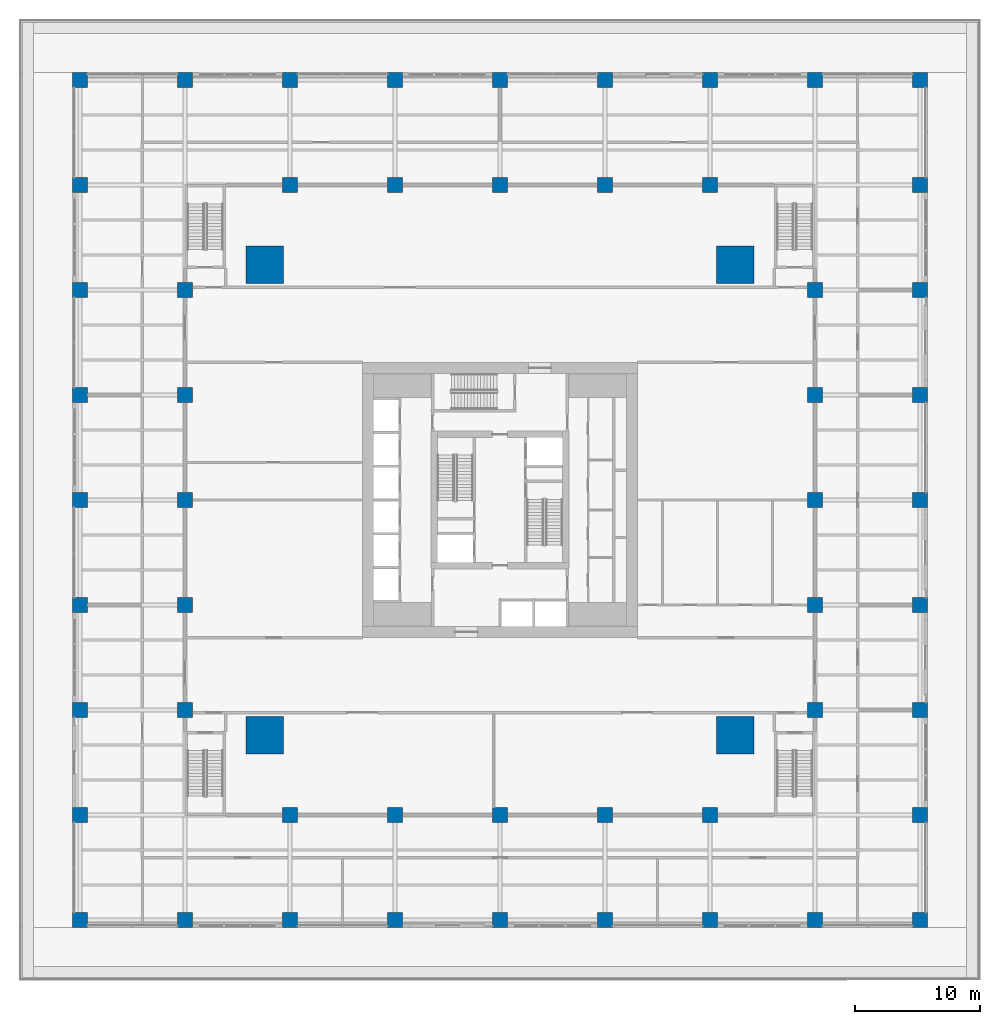
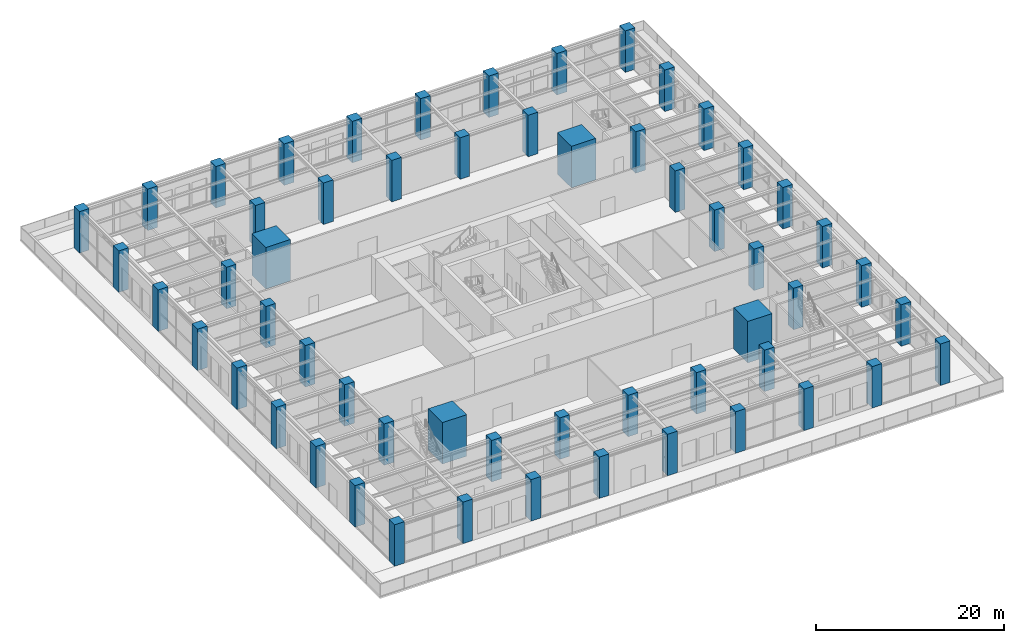
# One storey, part 1 of 36: 56 columns.
"""IFC4 building model written with IfcOpenShell, lengths in metres."""

from ifc_helpers import new_model, si_unit, direction, frame, origin, origin_2d, place, context, subcontext, project, spatial, rectangle, extrude, material, material_profile, profile_set, type_object, element, save


model = new_model("IFC4")

# Units and contexts
model_context = context("Model", 3, precision=1e-05, world=origin(), true_north=direction((0.0, 1.0)))
body_context = subcontext(model_context, "Body", "Model", "MODEL_VIEW")
ifc_project = project(units=[si_unit("LENGTHUNIT", "METRE"), si_unit("AREAUNIT", "SQUARE_METRE"), si_unit("VOLUMEUNIT", "CUBIC_METRE"), si_unit("PLANEANGLEUNIT", "RADIAN"), si_unit("MASSUNIT", "GRAM", prefix="KILO")], contexts=[model_context])

# Site, building, storey
site_placement = place(None, origin())
site = spatial("IfcSite", under=ifc_project, at=site_placement, CompositionType="ELEMENT")
building_placement = place(site_placement, origin())
building = spatial("IfcBuilding", under=site, at=building_placement, Name="Khepri Terraces", CompositionType="ELEMENT")
storey_placement = place(building_placement, frame((0.0, 0.0, 16.800048828125)))
storey = spatial("IfcBuildingStorey", under=building, at=storey_placement, Name="L03", CompositionType="ELEMENT", Elevation=16.800048828125)

# Columns
ifc_material_1 = material(Name="Concrete C80/95", Category="concrete")
ifc_material_profile_1 = material_profile(ifc_material_1, rectangle(XDim=3.0, YDim=3.0, at=origin_2d()), Name="Concrete C80/95", Category="concrete")
ifc_profile_set_1 = profile_set([ifc_material_profile_1], Name="Concrete C80/95")
column_type_1 = type_object("IfcColumnType", Name="Mega column RC 3000x3000 C80/95", PredefinedType="COLUMN", material=ifc_profile_set_1)
for number, where, z_axis, x_axis, name in (
    (1, (18.800048828125, 18.800048828125, 0.0), (0.0, 0.0, 1.0), (1.0, 0.0, 0.0), "Mega column MEN L03"),
    (2, (18.800048828125, -18.800048828125, 0.0), (0.0, 0.0, 1.0), (1.0, 0.0, 0.0), "Mega column MES L03"),
    (3, (-18.800048828125, 18.800048828125, 0.0), (0.0, 0.0, 1.0), (1.0, 0.0, 0.0), "Mega column MWN L03"),
    (4, (-18.800048828125, -18.800048828125, 0.0), (0.0, 0.0, 1.0), (1.0, 0.0, 0.0), "Mega column MWS L03"),
):
    element("IfcColumn", number, at=place(storey_placement, frame(where, z_axis=z_axis, x_axis=x_axis)), inside=storey, type_object=column_type_1, Name=name, PredefinedType="COLUMN", context=body_context, shape_type="SweptSolid", body=[
        extrude(rectangle(XDim=3.0, YDim=3.0, at=origin_2d()), origin(), (0.0, 0.0, 1.0), 5.39990234375),
    ])
ifc_material_2 = material(Name="Concrete C60/75", Category="concrete")
ifc_material_profile_2 = material_profile(ifc_material_2, rectangle(XDim=1.199951171875, YDim=1.199951171875, at=origin_2d()), Name="Concrete C60/75", Category="concrete")
ifc_profile_set_2 = profile_set([ifc_material_profile_2], Name="Concrete C60/75")
column_type_2 = type_object("IfcColumnType", Name="Podium column RC 1200x1200 C60/75", PredefinedType="COLUMN", material=ifc_profile_set_2)
for number, where, z_axis, x_axis, name in (
    (5, (0.0, 33.60009765625, 0.0), (0.0, 0.0, 1.0), (1.0, 0.0, 0.0), "Podium column G+000+336 L03"),
    (6, (0.0, -33.60009765625, 0.0), (0.0, 0.0, 1.0), (1.0, 0.0, 0.0), "Podium column G+000-336 L03"),
    (7, (8.39990234375, 33.60009765625, 0.0), (0.0, 0.0, 1.0), (1.0, 0.0, 0.0), "Podium column G+084+336 L03"),
    (8, (8.39990234375, -33.60009765625, 0.0), (0.0, 0.0, 1.0), (1.0, 0.0, 0.0), "Podium column G+084-336 L03"),
    (9, (16.800048828125, 33.60009765625, 0.0), (0.0, 0.0, 1.0), (1.0, 0.0, 0.0), "Podium column G+168+336 L03"),
    (10, (16.800048828125, -33.60009765625, 0.0), (0.0, 0.0, 1.0), (1.0, 0.0, 0.0), "Podium column G+168-336 L03"),
    (11, (25.199951171875, 33.60009765625, 0.0), (0.0, 0.0, 1.0), (1.0, 0.0, 0.0), "Podium column G+252+336 L03"),
    (12, (25.199951171875, -33.60009765625, 0.0), (0.0, 0.0, 1.0), (1.0, 0.0, 0.0), "Podium column G+252-336 L03"),
    (13, (33.60009765625, 0.0, 0.0), (0.0, 0.0, 1.0), (1.0, 0.0, 0.0), "Podium column G+336+000 L03"),
    (14, (33.60009765625, 8.39990234375, 0.0), (0.0, 0.0, 1.0), (1.0, 0.0, 0.0), "Podium column G+336+084 L03"),
    (15, (33.60009765625, 16.800048828125, 0.0), (0.0, 0.0, 1.0), (1.0, 0.0, 0.0), "Podium column G+336+168 L03"),
    (16, (33.60009765625, 25.199951171875, 0.0), (0.0, 0.0, 1.0), (1.0, 0.0, 0.0), "Podium column G+336+252 L03"),
    (17, (33.60009765625, 33.60009765625, 0.0), (0.0, 0.0, 1.0), (1.0, 0.0, 0.0), "Podium column G+336+336 L03"),
    (18, (33.60009765625, -8.39990234375, 0.0), (0.0, 0.0, 1.0), (1.0, 0.0, 0.0), "Podium column G+336-084 L03"),
    (19, (33.60009765625, -16.800048828125, 0.0), (0.0, 0.0, 1.0), (1.0, 0.0, 0.0), "Podium column G+336-168 L03"),
    (20, (33.60009765625, -25.199951171875, 0.0), (0.0, 0.0, 1.0), (1.0, 0.0, 0.0), "Podium column G+336-252 L03"),
    (21, (33.60009765625, -33.60009765625, 0.0), (0.0, 0.0, 1.0), (1.0, 0.0, 0.0), "Podium column G+336-336 L03"),
    (22, (-8.39990234375, 33.60009765625, 0.0), (0.0, 0.0, 1.0), (1.0, 0.0, 0.0), "Podium column G-084+336 L03"),
    (23, (-8.39990234375, -33.60009765625, 0.0), (0.0, 0.0, 1.0), (1.0, 0.0, 0.0), "Podium column G-084-336 L03"),
    (24, (-16.800048828125, 33.60009765625, 0.0), (0.0, 0.0, 1.0), (1.0, 0.0, 0.0), "Podium column G-168+336 L03"),
    (25, (-16.800048828125, -33.60009765625, 0.0), (0.0, 0.0, 1.0), (1.0, 0.0, 0.0), "Podium column G-168-336 L03"),
    (26, (-25.199951171875, 33.60009765625, 0.0), (0.0, 0.0, 1.0), (1.0, 0.0, 0.0), "Podium column G-252+336 L03"),
    (27, (-25.199951171875, -33.60009765625, 0.0), (0.0, 0.0, 1.0), (1.0, 0.0, 0.0), "Podium column G-252-336 L03"),
    (28, (-33.60009765625, 0.0, 0.0), (0.0, 0.0, 1.0), (1.0, 0.0, 0.0), "Podium column G-336+000 L03"),
    (29, (-33.60009765625, 8.39990234375, 0.0), (0.0, 0.0, 1.0), (1.0, 0.0, 0.0), "Podium column G-336+084 L03"),
    (30, (-33.60009765625, 16.800048828125, 0.0), (0.0, 0.0, 1.0), (1.0, 0.0, 0.0), "Podium column G-336+168 L03"),
    (31, (-33.60009765625, 25.199951171875, 0.0), (0.0, 0.0, 1.0), (1.0, 0.0, 0.0), "Podium column G-336+252 L03"),
    (32, (-33.60009765625, 33.60009765625, 0.0), (0.0, 0.0, 1.0), (1.0, 0.0, 0.0), "Podium column G-336+336 L03"),
    (33, (-33.60009765625, -8.39990234375, 0.0), (0.0, 0.0, 1.0), (1.0, 0.0, 0.0), "Podium column G-336-084 L03"),
    (34, (-33.60009765625, -16.800048828125, 0.0), (0.0, 0.0, 1.0), (1.0, 0.0, 0.0), "Podium column G-336-168 L03"),
    (35, (-33.60009765625, -25.199951171875, 0.0), (0.0, 0.0, 1.0), (1.0, 0.0, 0.0), "Podium column G-336-252 L03"),
    (36, (-33.60009765625, -33.60009765625, 0.0), (0.0, 0.0, 1.0), (1.0, 0.0, 0.0), "Podium column G-336-336 L03"),
):
    element("IfcColumn", number, at=place(storey_placement, frame(where, z_axis=z_axis, x_axis=x_axis)), inside=storey, type_object=column_type_2, Name=name, PredefinedType="COLUMN", context=body_context, shape_type="SweptSolid", body=[
        extrude(rectangle(XDim=1.199951171875, YDim=1.199951171875, at=origin_2d()), origin(), (0.0, 0.0, 1.0), 5.39990234375),
    ])
ifc_material_profile_3 = material_profile(ifc_material_1, rectangle(XDim=1.199951171875, YDim=1.199951171875, at=origin_2d()), Name="Concrete C80/95", Category="concrete")
ifc_profile_set_3 = profile_set([ifc_material_profile_3], Name="Concrete C80/95")
column_type_3 = type_object("IfcColumnType", Name="Tower column RC 1200x1200 C80/95", PredefinedType="COLUMN", material=ifc_profile_set_3)
for number, where, z_axis, x_axis, name in (
    (37, (25.199951171875, 0.0, 0.0), (0.0, 0.0, 1.0), (1.0, 0.0, 0.0), "Perimeter column PE+000a L03"),
    (38, (25.199951171875, 8.39990234375, 0.0), (0.0, 0.0, 1.0), (1.0, 0.0, 0.0), "Perimeter column PE+084a L03"),
    (39, (25.199951171875, 16.800048828125, 0.0), (0.0, 0.0, 1.0), (1.0, 0.0, 0.0), "Perimeter column PE+168a L03"),
    (40, (25.199951171875, -8.39990234375, 0.0), (0.0, 0.0, 1.0), (1.0, 0.0, 0.0), "Perimeter column PE-084a L03"),
    (41, (25.199951171875, -16.800048828125, 0.0), (0.0, 0.0, 1.0), (1.0, 0.0, 0.0), "Perimeter column PE-168a L03"),
    (42, (0.0, 25.199951171875, 0.0), (0.0, 0.0, 1.0), (1.0, 0.0, 0.0), "Perimeter column PN+000a L03"),
    (43, (-8.39990234375, 25.199951171875, 0.0), (0.0, 0.0, 1.0), (1.0, 0.0, 0.0), "Perimeter column PN+084a L03"),
    (44, (-16.800048828125, 25.199951171875, 0.0), (0.0, 0.0, 1.0), (1.0, 0.0, 0.0), "Perimeter column PN+168a L03"),
    (45, (8.39990234375, 25.199951171875, 0.0), (0.0, 0.0, 1.0), (1.0, 0.0, 0.0), "Perimeter column PN-084a L03"),
    (46, (16.800048828125, 25.199951171875, 0.0), (0.0, 0.0, 1.0), (1.0, 0.0, 0.0), "Perimeter column PN-168a L03"),
    (47, (0.0, -25.199951171875, 0.0), (0.0, 0.0, 1.0), (1.0, 0.0, 0.0), "Perimeter column PS+000a L03"),
    (48, (8.39990234375, -25.199951171875, 0.0), (0.0, 0.0, 1.0), (1.0, 0.0, 0.0), "Perimeter column PS+084a L03"),
    (49, (16.800048828125, -25.199951171875, 0.0), (0.0, 0.0, 1.0), (1.0, 0.0, 0.0), "Perimeter column PS+168a L03"),
    (50, (-8.39990234375, -25.199951171875, 0.0), (0.0, 0.0, 1.0), (1.0, 0.0, 0.0), "Perimeter column PS-084a L03"),
    (51, (-16.800048828125, -25.199951171875, 0.0), (0.0, 0.0, 1.0), (1.0, 0.0, 0.0), "Perimeter column PS-168a L03"),
    (52, (-25.199951171875, 0.0, 0.0), (0.0, 0.0, 1.0), (1.0, 0.0, 0.0), "Perimeter column PW+000a L03"),
    (53, (-25.199951171875, -8.39990234375, 0.0), (0.0, 0.0, 1.0), (1.0, 0.0, 0.0), "Perimeter column PW+084a L03"),
    (54, (-25.199951171875, -16.800048828125, 0.0), (0.0, 0.0, 1.0), (1.0, 0.0, 0.0), "Perimeter column PW+168a L03"),
    (55, (-25.199951171875, 8.39990234375, 0.0), (0.0, 0.0, 1.0), (1.0, 0.0, 0.0), "Perimeter column PW-084a L03"),
    (56, (-25.199951171875, 16.800048828125, 0.0), (0.0, 0.0, 1.0), (1.0, 0.0, 0.0), "Perimeter column PW-168a L03"),
):
    element("IfcColumn", number, at=place(storey_placement, frame(where, z_axis=z_axis, x_axis=x_axis)), inside=storey, type_object=column_type_3, Name=name, PredefinedType="COLUMN", context=body_context, shape_type="SweptSolid", body=[
        extrude(rectangle(XDim=1.199951171875, YDim=1.199951171875, at=origin_2d()), origin(), (0.0, 0.0, 1.0), 5.39990234375),
    ])

save(model, "model.ifc")
